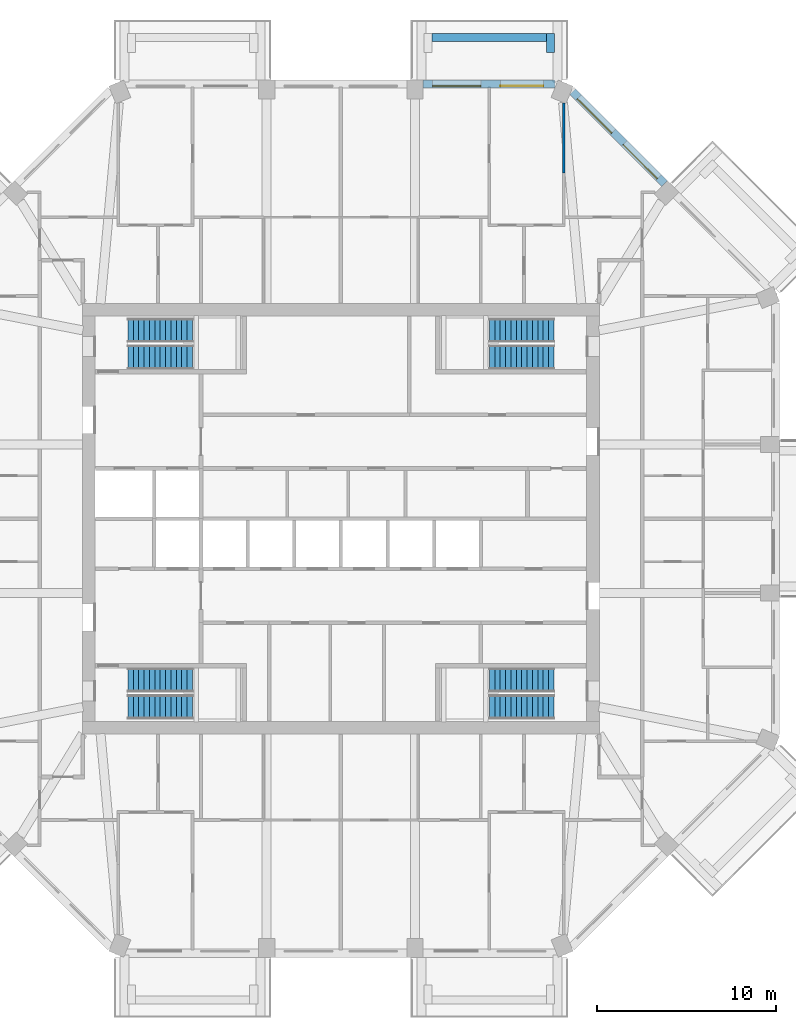
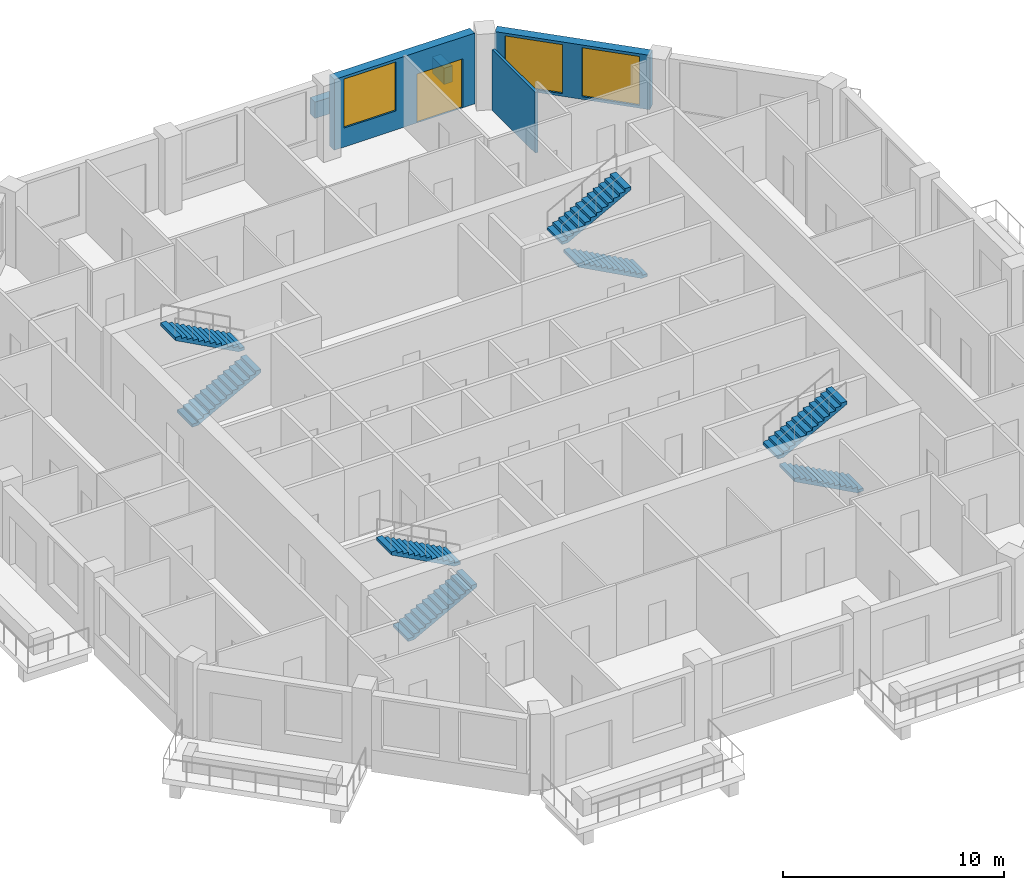
# One storey, part 10 of 12: 8 stair flights, 5 walls, 3 windows, 1 door, 4 openings, 4 elements without a shape of their own.
"""IFC4 building model written with IfcOpenShell, lengths in metres."""

from ifc_helpers import new_model, si_unit, direction, frame, frame_2d, origin, place, context, subcontext, project, spatial, polyline, rectangle, outline, extrude, material, layer, layer_set, type_object, element, fill, aggregate, save


model = new_model("IFC4")

# Units and contexts
model_context = context("Model", 3, precision=1e-05, world=origin(), true_north=direction((0.0, 1.0)))
body_context = subcontext(model_context, "Body", "Model", "MODEL_VIEW")
ifc_project = project(units=[si_unit("LENGTHUNIT", "METRE"), si_unit("AREAUNIT", "SQUARE_METRE"), si_unit("VOLUMEUNIT", "CUBIC_METRE"), si_unit("PLANEANGLEUNIT", "RADIAN"), si_unit("MASSUNIT", "GRAM", prefix="KILO")], contexts=[model_context])

# Site, building, storey
site_placement = place(None, origin())
site = spatial("IfcSite", under=ifc_project, at=site_placement, CompositionType="ELEMENT")
building_placement = place(site_placement, origin())
building = spatial("IfcBuilding", under=site, at=building_placement, Name="Msitu Wima Residences", CompositionType="ELEMENT")
storey_placement = place(building_placement, frame((0.0, 0.0, 183.300048828125)))
storey = spatial("IfcBuildingStorey", under=building, at=storey_placement, Name="L42", CompositionType="ELEMENT", Elevation=183.300048828125)

# Walls
ifc_material_1 = material(Name="Facing brick")
ifc_layer_1 = layer(ifc_material_1, 0.06494140625, Name="Facing brick")
ifc_material_2 = material(Name="Concrete C40/50", Category="concrete")
ifc_layer_2 = layer(ifc_material_2, 0.156005859375, Name="Concrete C40/50")
ifc_material_3 = material(Name="Waterproofing membrane")
ifc_layer_3 = layer(ifc_material_3, 0.00390625, Name="Waterproofing membrane")
ifc_material_4 = material(Name="Planting soil and planting")
ifc_layer_4 = layer(ifc_material_4, 0.22509765625, Name="Planting soil and planting")
ifc_layer_set_1 = layer_set([ifc_layer_1, ifc_layer_2, ifc_layer_3, ifc_layer_4], Name="Concrete C40/50")
wall_type_1 = type_object("IfcWallType", Name="Balcony planter PLANTER PL450", PredefinedType="USERDEFINED", material=ifc_layer_set_1)
wall_1_placement = place(storey_placement, frame((11.461669921875, 26.824951171875, 0.0), z_axis=(0.0, 0.0, 1.0), x_axis=(-1.0, 0.0, 0.0)))
element("IfcWall", 1, at=wall_1_placement, inside=storey, type_object=wall_type_1, Name="Balcony planter N0 L42", ObjectType="PLANTER", PredefinedType="USERDEFINED", context=body_context, shape_type="SweptSolid", body=[
    extrude(rectangle(XDim=6.37451171875, YDim=0.449951171875, at=frame_2d((3.187255859375, 0.0))), origin(), (0.0, 0.0, 1.0), 0.89990234375),
])
wall_2_placement = place(storey_placement, frame((11.686767578125, 26.0, 0.0), z_axis=(0.0, 0.0, 1.0), x_axis=(0.0, 1.0, 0.0)))
element("IfcWall", 2, at=wall_2_placement, inside=storey, type_object=wall_type_1, Name="Balcony planter N0 L42", ObjectType="PLANTER", PredefinedType="USERDEFINED", context=body_context, shape_type="SweptSolid", body=[
    extrude(rectangle(XDim=1.050048828125, YDim=0.449951171875, at=frame_2d((0.52490234375, 0.0))), origin(), (0.0, 0.0, 1.0), 0.89990234375),
])

# Wall, openings, windows
ifc_material_5 = material(Name="Brick (red buff mix)", Category="masonry")
ifc_layer_5 = layer(ifc_material_5, 0.449951171875)
ifc_layer_set_2 = layer_set([ifc_layer_5], Name="Brick (red buff mix)")
wall_type_2 = type_object("IfcWallType", Name="Brick infill wall BW450", PredefinedType="SOLIDWALL", material=ifc_layer_set_2)
wall_3_placement = place(storey_placement, frame((18.046875, 18.68310546875, 0.89990234375), z_axis=(0.0, 0.0, 1.0), x_axis=(-0.707106781187, 0.707106781187, 0.0)))
wall_3 = element("IfcWall", 3, at=wall_3_placement, inside=storey, type_object=wall_type_2, Name="Brick infill wall L42 NE1", PredefinedType="SOLIDWALL", context=body_context, shape_type="SweptSolid", body=[
    extrude(rectangle(XDim=7.257080078125, YDim=0.449951171875, at=frame_2d((3.62841796875, 0.0))), origin(), (0.0, 0.0, 1.0), 3.0),
])
opening_1_placement = place(wall_3_placement, frame((0.478515625, 0.0, 0.14990234375)))
opening_1 = element("IfcOpeningElement", 4, at=opening_1_placement, cuts=wall_3, Name="Opening W40-42.011", PredefinedType="OPENING", context=body_context, shape_type="SweptSolid", body=[
    extrude(rectangle(XDim=2.699951171875, YDim=2.699951171875, at=frame_2d((1.35009765625, 1.35009765625))), frame((0.0, 0.23486328125, 0.0), z_axis=(0.0, -1.0, 0.0), x_axis=(1.0, 0.0, 0.0)), (0.0, 0.0, 1.0), 0.469970703125),
])
opening_2_placement = place(wall_3_placement, frame((4.07861328125, 0.0, 0.14990234375)))
opening_2 = element("IfcOpeningElement", 5, at=opening_2_placement, cuts=wall_3, Name="Opening W40-42.012", PredefinedType="OPENING", context=body_context, shape_type="SweptSolid", body=[
    extrude(rectangle(XDim=2.699951171875, YDim=2.699951171875, at=frame_2d((1.35009765625, 1.35009765625))), frame((0.0, 0.23486328125, 0.0), z_axis=(0.0, -1.0, 0.0), x_axis=(1.0, 0.0, 0.0)), (0.0, 0.0, 1.0), 0.469970703125),
])
ifc_material_6 = material(Name="Anodised aluminium, bronze finish, clear low-emissivity double glazing", Category="aluminium")
window_type = type_object("IfcWindowType", Name="Window W2700x2700", PartitioningType="DOUBLE_PANEL_VERTICAL", PredefinedType="WINDOW", material=ifc_material_6)
window_1_placement = place(opening_1_placement, origin())
window_1 = element("IfcWindow", 6, at=window_1_placement, inside=storey, type_object=window_type, Name="Window L42 NE1.1", OverallHeight=2.699951171875, OverallWidth=2.699951171875, PartitioningType="SINGLE_PANEL", PredefinedType="WINDOW", context=body_context, shape_type="SweptSolid", body=[
    extrude(rectangle(XDim=2.699951171875, YDim=2.699951171875, at=frame_2d((1.35009765625, 1.35009765625))), frame((0.0, 0.135009765625, 0.0), z_axis=(0.0, -1.0, 0.0), x_axis=(1.0, 0.0, 0.0)), (0.0, 0.0, 1.0), 0.06005859375),
])
fill(opening_1, window_1)
window_2_placement = place(opening_2_placement, origin())
window_2 = element("IfcWindow", 7, at=window_2_placement, inside=storey, type_object=window_type, Name="Window L42 NE1.2", OverallHeight=2.699951171875, OverallWidth=2.699951171875, PartitioningType="SINGLE_PANEL", PredefinedType="WINDOW", context=body_context, shape_type="SweptSolid", body=[
    extrude(rectangle(XDim=2.699951171875, YDim=2.699951171875, at=frame_2d((1.35009765625, 1.35009765625))), frame((0.0, 0.135009765625, 0.0), z_axis=(0.0, -1.0, 0.0), x_axis=(1.0, 0.0, 0.0)), (0.0, 0.0, 1.0), 0.06005859375),
])
fill(opening_2, window_2)

# Wall, openings, door, window
wall_4_placement = place(storey_placement, frame((11.9248046875, 24.22509765625, 0.0), z_axis=(0.0, 0.0, 1.0), x_axis=(-1.0, 0.0, 0.0)))
wall_4 = element("IfcWall", 8, at=wall_4_placement, inside=storey, type_object=wall_type_2, Name="Brick infill wall L42 N0", PredefinedType="SOLIDWALL", context=body_context, shape_type="SweptSolid", body=[
    extrude(rectangle(XDim=7.337646484375, YDim=0.449951171875, at=frame_2d((3.6689453125, 0.0))), origin(), (0.0, 0.0, 1.0), 3.89990234375),
])
opening_3_placement = place(wall_4_placement, frame((0.63427734375, 0.0, 0.0)))
opening_3 = element("IfcOpeningElement", 9, at=opening_3_placement, cuts=wall_4, Name="Opening D40-42.002", PredefinedType="OPENING", context=body_context, shape_type="SweptSolid", body=[
    extrude(rectangle(XDim=2.39990234375, YDim=2.699951171875, at=frame_2d((1.199951171875, 1.35009765625))), frame((0.0, 0.23486328125, 0.0), z_axis=(0.0, -1.0, 0.0), x_axis=(1.0, 0.0, 0.0)), (0.0, 0.0, 1.0), 0.469970703125),
])
opening_4_placement = place(wall_4_placement, frame((4.11865234375, 0.0, 1.050048828125)))
opening_4 = element("IfcOpeningElement", 10, at=opening_4_placement, cuts=wall_4, Name="Opening W40-42.006", PredefinedType="OPENING", context=body_context, shape_type="SweptSolid", body=[
    extrude(rectangle(XDim=2.699951171875, YDim=2.699951171875, at=frame_2d((1.35009765625, 1.35009765625))), frame((0.0, 0.23486328125, 0.0), z_axis=(0.0, -1.0, 0.0), x_axis=(1.0, 0.0, 0.0)), (0.0, 0.0, 1.0), 0.469970703125),
])
door_type = type_object("IfcDoorType", Name="Balcony door D2400x2700", OperationType="SLIDING_TO_LEFT", PredefinedType="DOOR", material=ifc_material_6)
door_placement = place(opening_3_placement, origin())
door = element("IfcDoor", 11, at=door_placement, inside=storey, type_object=door_type, Name="Balcony door L42 N0", OperationType="SINGLE_SWING_LEFT", OverallHeight=2.699951171875, OverallWidth=2.39990234375, PredefinedType="DOOR", context=body_context, shape_type="SweptSolid", body=[
    extrude(rectangle(XDim=2.39990234375, YDim=2.699951171875, at=frame_2d((1.199951171875, 1.35009765625))), frame((0.0, 0.1298828125, 0.0), z_axis=(0.0, -1.0, 0.0), x_axis=(1.0, 0.0, 0.0)), (0.0, 0.0, 1.0), 0.050048828125),
])
fill(opening_3, door)
window_3_placement = place(opening_4_placement, origin())
window_3 = element("IfcWindow", 12, at=window_3_placement, inside=storey, type_object=window_type, Name="Window L42 N0.2", OverallHeight=2.699951171875, OverallWidth=2.699951171875, PartitioningType="SINGLE_PANEL", PredefinedType="WINDOW", context=body_context, shape_type="SweptSolid", body=[
    extrude(rectangle(XDim=2.699951171875, YDim=2.699951171875, at=frame_2d((1.35009765625, 1.35009765625))), frame((0.0, 0.135009765625, 0.0), z_axis=(0.0, -1.0, 0.0), x_axis=(1.0, 0.0, 0.0)), (0.0, 0.0, 1.0), 0.06005859375),
])
fill(opening_4, window_3)

# Wall
ifc_material_7 = material(Name="Plaster")
ifc_layer_6 = layer(ifc_material_7, 0.011962890625, Name="Plaster")
ifc_material_8 = material(Name="Concrete blockwork", Category="masonry")
ifc_layer_7 = layer(ifc_material_8, 0.1259765625, Name="Concrete blockwork")
ifc_layer_8 = layer(ifc_material_7, 0.011962890625, Name="Plaster")
ifc_layer_set_3 = layer_set([ifc_layer_6, ifc_layer_7, ifc_layer_8], Name="Concrete blockwork")
wall_type_3 = type_object("IfcWallType", Name="Partition PW150", PredefinedType="PARTITIONING", material=ifc_layer_set_3)
wall_5_placement = place(storey_placement, frame((12.411865234375, 19.2705078125, 0.0), z_axis=(0.0, 0.0, 1.0), x_axis=(0.0, 1.0, 0.0)))
element("IfcWall", 13, at=wall_5_placement, inside=storey, type_object=wall_type_3, Name="Partition", PredefinedType="PARTITIONING", context=body_context, shape_type="SweptSolid", body=[
    extrude(rectangle(XDim=3.8984375, YDim=0.14990234375, at=frame_2d((1.94921875, 0.0))), origin(), (0.0, 0.0, 1.0), 3.349853515625),
])

# Stair, stair flights
stair_type = type_object("IfcStairType", Name="Exit stair ES1615-135", PredefinedType="HALF_TURN_STAIR", material=ifc_material_2)
stair_1_placement = place(storey_placement, origin())
stair_1 = element("IfcStair", 14, at=stair_1_placement, inside=storey, type_object=stair_type, Name="Exit stair 1", PredefinedType="HALF_TURN_STAIR")
stair_flight_type = type_object("IfcStairFlightType", Name="Exit stair flight ES1615-135", PredefinedType="STRAIGHT", material=ifc_material_2)
stair_flight_1_placement = place(storey_placement, frame((-11.875, 9.0, 0.0), z_axis=(0.0, 0.0, 1.0), x_axis=(1.0, 0.0, 0.0)))
stair_flight_1 = element("IfcStairFlight", 15, at=stair_flight_1_placement, type_object=stair_flight_type, Name="S1 flight 1", NumberOfRisers=13, NumberOfTreads=12, PredefinedType="STRAIGHT", RiserHeight=0.161538462, TreadLength=0.3, context=body_context, shape_type="SweptSolid", body=[
    extrude(outline(polyline([(0.0, 0.0), (0.0, 0.16162109375), (0.300048828125, 0.16162109375), (0.300048828125, 0.322998046875), (0.60009765625, 0.322998046875), (0.60009765625, 0.484619140625), (0.89990234375, 0.484619140625), (0.89990234375, 0.646240234375), (1.199951171875, 0.646240234375), (1.199951171875, 0.8076171875), (1.5, 0.8076171875), (1.5, 0.96923828125), (1.800048828125, 0.96923828125), (1.800048828125, 1.130859375), (2.10009765625, 1.130859375), (2.10009765625, 1.292236328125), (2.39990234375, 1.292236328125), (2.39990234375, 1.453857421875), (2.699951171875, 1.453857421875), (2.699951171875, 1.615478515625), (3.0, 1.615478515625), (3.0, 1.77685546875), (3.300048828125, 1.77685546875), (3.300048828125, 1.9384765625), (3.60009765625, 1.9384765625), (3.60009765625, 2.10009765625), (3.60009765625, 1.768310546875), (0.316162109375, 0.0), (0.0, 0.0)])), frame((0.0, 0.675048828125, 0.0), z_axis=(0.0, -1.0, 0.0), x_axis=(1.0, 0.0, 0.0)), (0.0, 0.0, 1.0), 1.35009765625),
])
stair_flight_2_placement = place(storey_placement, frame((-8.27490234375, 10.5, 2.099853515625), z_axis=(0.0, 0.0, 1.0), x_axis=(-1.0, 0.0, 0.0)))
stair_flight_2 = element("IfcStairFlight", 16, at=stair_flight_2_placement, type_object=stair_flight_type, Name="S1 flight 2", NumberOfRisers=13, NumberOfTreads=12, PredefinedType="STRAIGHT", RiserHeight=0.161538462, TreadLength=0.3, context=body_context, shape_type="SweptSolid", body=[
    extrude(outline(polyline([(0.0, 0.0), (0.0, 0.16162109375), (0.300048828125, 0.16162109375), (0.300048828125, 0.322998046875), (0.60009765625, 0.322998046875), (0.60009765625, 0.484619140625), (0.89990234375, 0.484619140625), (0.89990234375, 0.646240234375), (1.199951171875, 0.646240234375), (1.199951171875, 0.8076171875), (1.5, 0.8076171875), (1.5, 0.96923828125), (1.800048828125, 0.96923828125), (1.800048828125, 1.130859375), (2.10009765625, 1.130859375), (2.10009765625, 1.292236328125), (2.39990234375, 1.292236328125), (2.39990234375, 1.453857421875), (2.699951171875, 1.453857421875), (2.699951171875, 1.615478515625), (3.0, 1.615478515625), (3.0, 1.77685546875), (3.300048828125, 1.77685546875), (3.300048828125, 1.9384765625), (3.60009765625, 1.9384765625), (3.60009765625, 2.10009765625), (3.60009765625, 1.768310546875), (0.316162109375, 0.0), (0.0, 0.0)])), frame((0.0, 0.675048828125, 0.0), z_axis=(0.0, -1.0, 0.0), x_axis=(1.0, 0.0, 0.0)), (0.0, 0.0, 1.0), 1.35009765625),
])
aggregate(stair_1, [stair_flight_1, stair_flight_2])

stair_2_placement = place(storey_placement, origin())
stair_2 = element("IfcStair", 17, at=stair_2_placement, inside=storey, type_object=stair_type, Name="Exit stair 2", PredefinedType="HALF_TURN_STAIR")
stair_flight_3_placement = place(storey_placement, frame((-11.875, -10.5, 0.0), z_axis=(0.0, 0.0, 1.0), x_axis=(1.0, 0.0, 0.0)))
stair_flight_3 = element("IfcStairFlight", 18, at=stair_flight_3_placement, type_object=stair_flight_type, Name="S2 flight 1", NumberOfRisers=13, NumberOfTreads=12, PredefinedType="STRAIGHT", RiserHeight=0.161538462, TreadLength=0.3, context=body_context, shape_type="SweptSolid", body=[
    extrude(outline(polyline([(0.0, 0.0), (0.0, 0.16162109375), (0.300048828125, 0.16162109375), (0.300048828125, 0.322998046875), (0.60009765625, 0.322998046875), (0.60009765625, 0.484619140625), (0.89990234375, 0.484619140625), (0.89990234375, 0.646240234375), (1.199951171875, 0.646240234375), (1.199951171875, 0.8076171875), (1.5, 0.8076171875), (1.5, 0.96923828125), (1.800048828125, 0.96923828125), (1.800048828125, 1.130859375), (2.10009765625, 1.130859375), (2.10009765625, 1.292236328125), (2.39990234375, 1.292236328125), (2.39990234375, 1.453857421875), (2.699951171875, 1.453857421875), (2.699951171875, 1.615478515625), (3.0, 1.615478515625), (3.0, 1.77685546875), (3.300048828125, 1.77685546875), (3.300048828125, 1.9384765625), (3.60009765625, 1.9384765625), (3.60009765625, 2.10009765625), (3.60009765625, 1.768310546875), (0.316162109375, 0.0), (0.0, 0.0)])), frame((0.0, 0.675048828125, 0.0), z_axis=(0.0, -1.0, 0.0), x_axis=(1.0, 0.0, 0.0)), (0.0, 0.0, 1.0), 1.35009765625),
])
stair_flight_4_placement = place(storey_placement, frame((-8.27490234375, -9.0, 2.099853515625), z_axis=(0.0, 0.0, 1.0), x_axis=(-1.0, 0.0, 0.0)))
stair_flight_4 = element("IfcStairFlight", 19, at=stair_flight_4_placement, type_object=stair_flight_type, Name="S2 flight 2", NumberOfRisers=13, NumberOfTreads=12, PredefinedType="STRAIGHT", RiserHeight=0.161538462, TreadLength=0.3, context=body_context, shape_type="SweptSolid", body=[
    extrude(outline(polyline([(0.0, 0.0), (0.0, 0.16162109375), (0.300048828125, 0.16162109375), (0.300048828125, 0.322998046875), (0.60009765625, 0.322998046875), (0.60009765625, 0.484619140625), (0.89990234375, 0.484619140625), (0.89990234375, 0.646240234375), (1.199951171875, 0.646240234375), (1.199951171875, 0.8076171875), (1.5, 0.8076171875), (1.5, 0.96923828125), (1.800048828125, 0.96923828125), (1.800048828125, 1.130859375), (2.10009765625, 1.130859375), (2.10009765625, 1.292236328125), (2.39990234375, 1.292236328125), (2.39990234375, 1.453857421875), (2.699951171875, 1.453857421875), (2.699951171875, 1.615478515625), (3.0, 1.615478515625), (3.0, 1.77685546875), (3.300048828125, 1.77685546875), (3.300048828125, 1.9384765625), (3.60009765625, 1.9384765625), (3.60009765625, 2.10009765625), (3.60009765625, 1.768310546875), (0.316162109375, 0.0), (0.0, 0.0)])), frame((0.0, 0.675048828125, 0.0), z_axis=(0.0, -1.0, 0.0), x_axis=(1.0, 0.0, 0.0)), (0.0, 0.0, 1.0), 1.35009765625),
])
aggregate(stair_2, [stair_flight_3, stair_flight_4])

stair_3_placement = place(storey_placement, origin())
stair_3 = element("IfcStair", 20, at=stair_3_placement, inside=storey, type_object=stair_type, Name="Exit stair 3", PredefinedType="HALF_TURN_STAIR")
stair_flight_5_placement = place(storey_placement, frame((11.875, 9.0, 0.0), z_axis=(0.0, 0.0, 1.0), x_axis=(-1.0, 0.0, 0.0)))
stair_flight_5 = element("IfcStairFlight", 21, at=stair_flight_5_placement, type_object=stair_flight_type, Name="S3 flight 1", NumberOfRisers=13, NumberOfTreads=12, PredefinedType="STRAIGHT", RiserHeight=0.161538462, TreadLength=0.3, context=body_context, shape_type="SweptSolid", body=[
    extrude(outline(polyline([(0.0, 0.0), (0.0, 0.16162109375), (0.300048828125, 0.16162109375), (0.300048828125, 0.322998046875), (0.60009765625, 0.322998046875), (0.60009765625, 0.484619140625), (0.89990234375, 0.484619140625), (0.89990234375, 0.646240234375), (1.199951171875, 0.646240234375), (1.199951171875, 0.8076171875), (1.5, 0.8076171875), (1.5, 0.96923828125), (1.800048828125, 0.96923828125), (1.800048828125, 1.130859375), (2.10009765625, 1.130859375), (2.10009765625, 1.292236328125), (2.39990234375, 1.292236328125), (2.39990234375, 1.453857421875), (2.699951171875, 1.453857421875), (2.699951171875, 1.615478515625), (3.0, 1.615478515625), (3.0, 1.77685546875), (3.300048828125, 1.77685546875), (3.300048828125, 1.9384765625), (3.60009765625, 1.9384765625), (3.60009765625, 2.10009765625), (3.60009765625, 1.768310546875), (0.316162109375, 0.0), (0.0, 0.0)])), frame((0.0, 0.675048828125, 0.0), z_axis=(0.0, -1.0, 0.0), x_axis=(1.0, 0.0, 0.0)), (0.0, 0.0, 1.0), 1.35009765625),
])
stair_flight_6_placement = place(storey_placement, frame((8.27490234375, 10.5, 2.099853515625), z_axis=(0.0, 0.0, 1.0), x_axis=(1.0, 0.0, 0.0)))
stair_flight_6 = element("IfcStairFlight", 22, at=stair_flight_6_placement, type_object=stair_flight_type, Name="S3 flight 2", NumberOfRisers=13, NumberOfTreads=12, PredefinedType="STRAIGHT", RiserHeight=0.161538462, TreadLength=0.3, context=body_context, shape_type="SweptSolid", body=[
    extrude(outline(polyline([(0.0, 0.0), (0.0, 0.16162109375), (0.300048828125, 0.16162109375), (0.300048828125, 0.322998046875), (0.60009765625, 0.322998046875), (0.60009765625, 0.484619140625), (0.89990234375, 0.484619140625), (0.89990234375, 0.646240234375), (1.199951171875, 0.646240234375), (1.199951171875, 0.8076171875), (1.5, 0.8076171875), (1.5, 0.96923828125), (1.800048828125, 0.96923828125), (1.800048828125, 1.130859375), (2.10009765625, 1.130859375), (2.10009765625, 1.292236328125), (2.39990234375, 1.292236328125), (2.39990234375, 1.453857421875), (2.699951171875, 1.453857421875), (2.699951171875, 1.615478515625), (3.0, 1.615478515625), (3.0, 1.77685546875), (3.300048828125, 1.77685546875), (3.300048828125, 1.9384765625), (3.60009765625, 1.9384765625), (3.60009765625, 2.10009765625), (3.60009765625, 1.768310546875), (0.316162109375, 0.0), (0.0, 0.0)])), frame((0.0, 0.675048828125, 0.0), z_axis=(0.0, -1.0, 0.0), x_axis=(1.0, 0.0, 0.0)), (0.0, 0.0, 1.0), 1.35009765625),
])
aggregate(stair_3, [stair_flight_5, stair_flight_6])

stair_4_placement = place(storey_placement, origin())
stair_4 = element("IfcStair", 23, at=stair_4_placement, inside=storey, type_object=stair_type, Name="Exit stair 4", PredefinedType="HALF_TURN_STAIR")
stair_flight_7_placement = place(storey_placement, frame((11.875, -10.5, 0.0), z_axis=(0.0, 0.0, 1.0), x_axis=(-1.0, 0.0, 0.0)))
stair_flight_7 = element("IfcStairFlight", 24, at=stair_flight_7_placement, type_object=stair_flight_type, Name="S4 flight 1", NumberOfRisers=13, NumberOfTreads=12, PredefinedType="STRAIGHT", RiserHeight=0.161538462, TreadLength=0.3, context=body_context, shape_type="SweptSolid", body=[
    extrude(outline(polyline([(0.0, 0.0), (0.0, 0.16162109375), (0.300048828125, 0.16162109375), (0.300048828125, 0.322998046875), (0.60009765625, 0.322998046875), (0.60009765625, 0.484619140625), (0.89990234375, 0.484619140625), (0.89990234375, 0.646240234375), (1.199951171875, 0.646240234375), (1.199951171875, 0.8076171875), (1.5, 0.8076171875), (1.5, 0.96923828125), (1.800048828125, 0.96923828125), (1.800048828125, 1.130859375), (2.10009765625, 1.130859375), (2.10009765625, 1.292236328125), (2.39990234375, 1.292236328125), (2.39990234375, 1.453857421875), (2.699951171875, 1.453857421875), (2.699951171875, 1.615478515625), (3.0, 1.615478515625), (3.0, 1.77685546875), (3.300048828125, 1.77685546875), (3.300048828125, 1.9384765625), (3.60009765625, 1.9384765625), (3.60009765625, 2.10009765625), (3.60009765625, 1.768310546875), (0.316162109375, 0.0), (0.0, 0.0)])), frame((0.0, 0.675048828125, 0.0), z_axis=(0.0, -1.0, 0.0), x_axis=(1.0, 0.0, 0.0)), (0.0, 0.0, 1.0), 1.35009765625),
])
stair_flight_8_placement = place(storey_placement, frame((8.27490234375, -9.0, 2.099853515625), z_axis=(0.0, 0.0, 1.0), x_axis=(1.0, 0.0, 0.0)))
stair_flight_8 = element("IfcStairFlight", 25, at=stair_flight_8_placement, type_object=stair_flight_type, Name="S4 flight 2", NumberOfRisers=13, NumberOfTreads=12, PredefinedType="STRAIGHT", RiserHeight=0.161538462, TreadLength=0.3, context=body_context, shape_type="SweptSolid", body=[
    extrude(outline(polyline([(0.0, 0.0), (0.0, 0.16162109375), (0.300048828125, 0.16162109375), (0.300048828125, 0.322998046875), (0.60009765625, 0.322998046875), (0.60009765625, 0.484619140625), (0.89990234375, 0.484619140625), (0.89990234375, 0.646240234375), (1.199951171875, 0.646240234375), (1.199951171875, 0.8076171875), (1.5, 0.8076171875), (1.5, 0.96923828125), (1.800048828125, 0.96923828125), (1.800048828125, 1.130859375), (2.10009765625, 1.130859375), (2.10009765625, 1.292236328125), (2.39990234375, 1.292236328125), (2.39990234375, 1.453857421875), (2.699951171875, 1.453857421875), (2.699951171875, 1.615478515625), (3.0, 1.615478515625), (3.0, 1.77685546875), (3.300048828125, 1.77685546875), (3.300048828125, 1.9384765625), (3.60009765625, 1.9384765625), (3.60009765625, 2.10009765625), (3.60009765625, 1.768310546875), (0.316162109375, 0.0), (0.0, 0.0)])), frame((0.0, 0.675048828125, 0.0), z_axis=(0.0, -1.0, 0.0), x_axis=(1.0, 0.0, 0.0)), (0.0, 0.0, 1.0), 1.35009765625),
])
aggregate(stair_4, [stair_flight_7, stair_flight_8])

save(model, "model.ifc")
